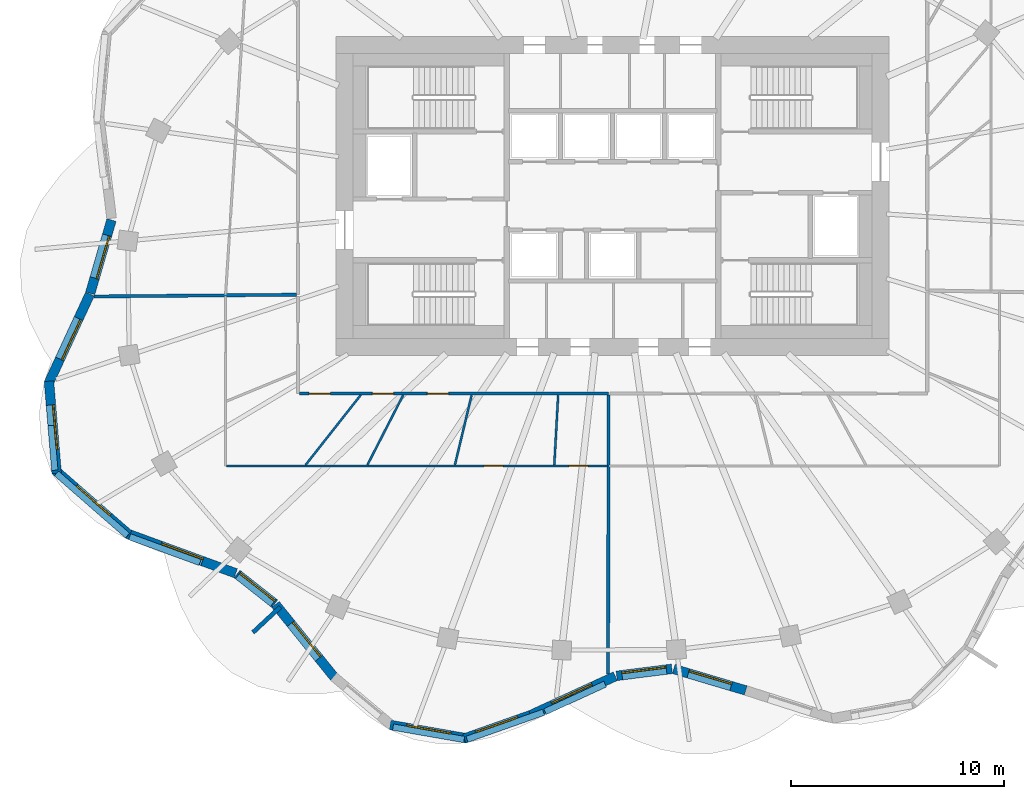
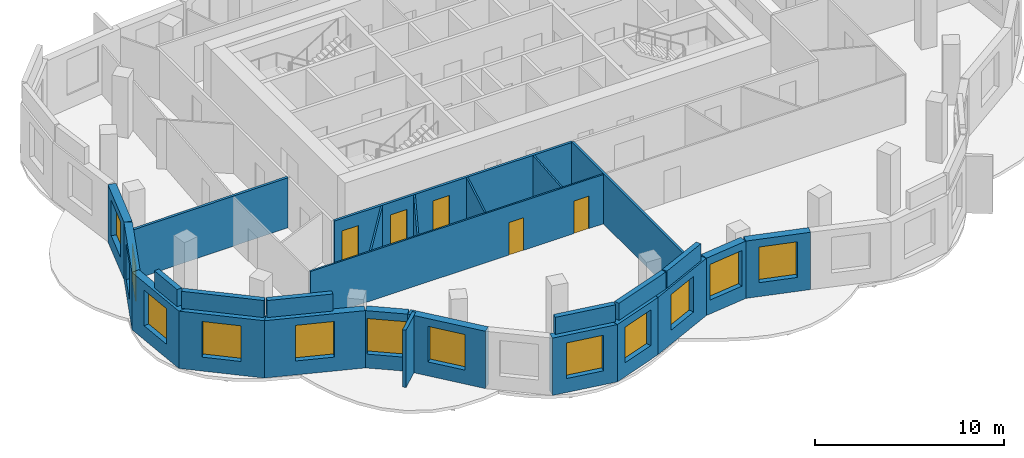
# One storey, part 3 of 10: 27 walls, 12 windows, 5 doors, 17 openings.
"""IFC4 building model written with IfcOpenShell, lengths in metres."""

import ifcopenshell
import ifcopenshell.guid

model = None  # the IFC model being written
_history = None  # IfcOwnerHistory: only IFC2X3 demands one
_inside = {}  # id of a spatial element -> (the spatial element, [elements in it])
_under = {}  # id of a project, library or spatial element -> (it, [spatial elements below it])
_declared = {}  # id of a project -> (the project, [libraries it declares])
_typed = {}  # id of a type object -> (the type object, [elements of that type])
_made_of = {}  # id of a material, layer set ... -> (it, [elements and type objects made of it])


def new_model(schema):
    """Start an empty IFC model of exactly this schema.

    Asked for "IFC4X3", IfcOpenShell would pick the latest addendum, in which some entities
    have other attributes; the version numbers below select the first issue.
    IFC2X3 requires an IfcOwnerHistory on every rooted entity: one is made here for all.
    """
    global model, _history
    if schema == "IFC4X3":
        model = ifcopenshell.file(schema_version=(4, 3, 0, 0))
    else:
        model = ifcopenshell.file(schema=schema)
    _inside.clear()
    _under.clear()
    _declared.clear()
    _typed.clear()
    _made_of.clear()
    _history = None
    if model.schema == "IFC2X3":
        org = make("IfcOrganization", Name="unknown")
        user = make(
            "IfcPersonAndOrganization",
            ThePerson=make("IfcPerson", FamilyName="unknown"),
            TheOrganization=org,
        )
        app = make(
            "IfcApplication",
            ApplicationDeveloper=org,
            Version="unknown",
            ApplicationFullName="unknown",
            ApplicationIdentifier="unknown",
        )
        _history = make(
            "IfcOwnerHistory",
            OwningUser=user,
            OwningApplication=app,
            ChangeAction="ADDED",
            CreationDate=0,
        )
    return model


def make(cls, **values):
    """One entity of the class cls with the attributes given. An attribute that is None is left unset."""
    return model.create_entity(
        cls, **{name: value for name, value in values.items() if value is not None}
    )


def rooted(cls, **values):
    """An entity with a GlobalId (a new one), such as an element, a storey or a relation."""
    return make(cls, GlobalId=ifcopenshell.guid.new(), OwnerHistory=_history, **values)


def si_unit(unit_type, name, prefix=None):
    """IfcSIUnit, for example si_unit("LENGTHUNIT", "METRE", prefix="MILLI")."""
    return make("IfcSIUnit", UnitType=unit_type, Prefix=prefix, Name=name)


def assignment(units):
    """IfcUnitAssignment: the units of a project."""
    return None if units is None else make("IfcUnitAssignment", Units=units)


def point(xyz):
    """IfcCartesianPoint."""
    return None if xyz is None else make("IfcCartesianPoint", Coordinates=xyz)


def direction(xyz):
    """IfcDirection."""
    return None if xyz is None else make("IfcDirection", DirectionRatios=xyz)


def frame(location, z_axis=None, x_axis=None):
    """IfcAxis2Placement3D, a coordinate frame: its origin and axes. An axis left out is left unset."""
    return make(
        "IfcAxis2Placement3D",
        Location=point(location),
        Axis=direction(z_axis),
        RefDirection=direction(x_axis),
    )


def frame_2d(location, x_axis=None):
    """IfcAxis2Placement2D, a coordinate frame in the plane: its origin and x axis."""
    return make(
        "IfcAxis2Placement2D", Location=point(location), RefDirection=direction(x_axis)
    )


def origin():
    """The frame at (0, 0, 0) with its axes left unset."""
    return frame((0.0, 0.0, 0.0))


def place(relative_to, where):
    """IfcLocalPlacement: puts the frame where relative to a parent placement (None: the world)."""
    return make(
        "IfcLocalPlacement", PlacementRelTo=relative_to, RelativePlacement=where
    )


def context(
    kind, dimensions, precision=None, world=None, true_north=None, identifier=None
):
    """IfcGeometricRepresentationContext, for example the 3D "Model" context."""
    return make(
        "IfcGeometricRepresentationContext",
        ContextIdentifier=identifier,
        ContextType=kind,
        CoordinateSpaceDimension=dimensions,
        Precision=precision,
        WorldCoordinateSystem=world,
        TrueNorth=true_north,
    )


def subcontext(parent, identifier, kind, view, scale=None):
    """IfcGeometricRepresentationSubContext, for example "Body" below "Model"."""
    return make(
        "IfcGeometricRepresentationSubContext",
        ContextIdentifier=identifier,
        ContextType=kind,
        ParentContext=parent,
        TargetScale=scale,
        TargetView=view,
    )


def project(units=None, contexts=None):
    """IfcProject with its units and contexts."""
    return rooted(
        "IfcProject",
        Name="project",
        RepresentationContexts=contexts,
        UnitsInContext=assignment(units),
    )


def spatial(cls, under=None, at=None, **own):
    """A site, building, storey or space (cls), placed at a placement, below another one or the project."""
    s = rooted(cls, ObjectPlacement=at, **own)
    if under is not None:
        _under.setdefault(under.id(), (under, []))[1].append(s)
    return s


def profile(cls, at=None, kind="AREA", **sizes):
    """A parametric profile (cls). Its sizes go by their IFC names, for example OverallWidth=200.0."""
    return make(cls, ProfileType=kind, Position=at, **sizes)


def rectangle(**sizes):
    """IfcRectangleProfileDef."""
    return profile("IfcRectangleProfileDef", **sizes)


def extrude(swept, where, along, depth):
    """IfcExtrudedAreaSolid: the profile swept, set in the frame where, extruded along a direction by depth."""
    return make(
        "IfcExtrudedAreaSolid",
        SweptArea=swept,
        Position=where,
        ExtrudedDirection=direction(along),
        Depth=depth,
    )


def shape(context_of_items, identifier, shape_type, items):
    """IfcShapeRepresentation: the items that make up one representation, for example the "Body"."""
    return make(
        "IfcShapeRepresentation",
        ContextOfItems=context_of_items,
        RepresentationIdentifier=identifier,
        RepresentationType=shape_type,
        Items=items,
    )


def material(Name=None, Category=None):
    """IfcMaterial."""
    return make("IfcMaterial", Name=Name, Category=Category)


def layer(
    of_material, thickness, ventilated=None, Name=None, Category=None, Priority=None
):
    """IfcMaterialLayer: one layer of a wall or slab, of a material (None: an air gap)."""
    return make(
        "IfcMaterialLayer",
        Material=of_material,
        LayerThickness=thickness,
        IsVentilated=ventilated,
        Name=Name,
        Category=Category,
        Priority=Priority,
    )


def layer_set(layers, Name=None):
    """IfcMaterialLayerSet."""
    return make("IfcMaterialLayerSet", MaterialLayers=layers, LayerSetName=Name)


def made_of(thing, what):
    """Note that an element or type object is made of a material, layer set ...; save() writes the relation."""
    if what is not None:
        _made_of.setdefault(what.id(), (what, []))[1].append(thing)
    return thing


def type_object(cls, material=None, **own):
    """A type object (cls), such as IfcWallType, which elements share."""
    return made_of(rooted(cls, **own), material)


def element(
    cls,
    number,
    at=None,
    inside=None,
    cuts=None,
    type_object=None,
    material=None,
    context=None,
    identifier="Body",
    shape_type=None,
    held_by="IfcProductDefinitionShape",
    body=None,
    shapes=None,
    **own,
):
    """One element of the class cls, such as IfcWall. Its Tag is "e" and its number.

    at: its placement. inside: the storey or other place that contains it. cuts: it is an
    opening in that element (IfcRelVoidsElement). A single representation is given by context,
    identifier, shape_type and body (its items); several are given by shapes. held_by: the class
    of the entity that holds the representations. save() writes the other relations.
    """
    e = rooted(cls, Tag="e%d" % number, ObjectPlacement=at, **own)
    if body is not None:
        shapes = [shape(context, identifier, shape_type, body)]
    if shapes is not None:
        e.Representation = make(held_by, Representations=shapes)
    if inside is not None:
        _inside.setdefault(inside.id(), (inside, []))[1].append(e)
    if cuts is not None:
        rooted(
            "IfcRelVoidsElement", RelatingBuildingElement=cuts, RelatedOpeningElement=e
        )
    if type_object is not None:
        _typed.setdefault(type_object.id(), (type_object, []))[1].append(e)
    return made_of(e, material)


def fill(opening, filler):
    """IfcRelFillsElement: the door or window that sits in an opening."""
    return rooted(
        "IfcRelFillsElement",
        RelatingOpeningElement=opening,
        RelatedBuildingElement=filler,
    )


def aggregate(whole, parts):
    """IfcRelAggregates: a whole, such as a stair, and the parts it consists of."""
    return rooted("IfcRelAggregates", RelatingObject=whole, RelatedObjects=parts)


def save(model, path):
    """Write the relations noted so far, then the file.

    IfcRelAggregates (storeys below a building ...), IfcRelContainedInSpatialStructure (elements
    in a storey), IfcRelDefinesByType, IfcRelAssociatesMaterial and IfcRelDeclares: one each for
    every whole, place, type object, material and project.
    """
    for whole, parts in _under.values():
        aggregate(whole, parts)
    for where, things in _inside.values():
        rooted(
            "IfcRelContainedInSpatialStructure",
            RelatedElements=things,
            RelatingStructure=where,
        )
    for kind, things in _typed.values():
        rooted("IfcRelDefinesByType", RelatedObjects=things, RelatingType=kind)
    for what, things in _made_of.values():
        rooted("IfcRelAssociatesMaterial", RelatedObjects=things, RelatingMaterial=what)
    for by, libraries in _declared.values():
        rooted("IfcRelDeclares", RelatingContext=by, RelatedDefinitions=libraries)
    model.write(path)


model = new_model("IFC4")

# Units and contexts
model_context = context("Model", 3, precision=1e-05, world=origin(), true_north=direction((0.0, 1.0)))
body_context = subcontext(model_context, "Body", "Model", "MODEL_VIEW")
ifc_project = project(units=[si_unit("LENGTHUNIT", "METRE"), si_unit("AREAUNIT", "SQUARE_METRE"), si_unit("VOLUMEUNIT", "CUBIC_METRE"), si_unit("PLANEANGLEUNIT", "RADIAN"), si_unit("MASSUNIT", "GRAM", prefix="KILO")], contexts=[model_context])

# Site, building, storey
site_placement = place(None, origin())
site = spatial("IfcSite", under=ifc_project, at=site_placement, CompositionType="ELEMENT")
building_placement = place(site_placement, origin())
building = spatial("IfcBuilding", under=site, at=building_placement, Name="Rubra Terraces Tower", CompositionType="ELEMENT")
storey_placement = place(building_placement, frame((0.0, 0.0, 296.10009765625)))
storey = spatial("IfcBuildingStorey", under=building, at=storey_placement, Name="L73", CompositionType="ELEMENT", Elevation=296.10009765625)

# Wall, opening, window
ifc_material_1 = material(Name="Brick masonry red-brown", Category="masonry")
ifc_layer_1 = layer(ifc_material_1, 0.449951171875)
ifc_layer_set_1 = layer_set([ifc_layer_1], Name="Brick masonry red-brown")
wall_type_1 = type_object("IfcWallType", Name="Brick facade wall 450", PredefinedType="SOLIDWALL", material=ifc_layer_set_1)
wall_1_placement = place(storey_placement, frame((-23.565185546875, 3.363525390625, 0.0), z_axis=(0.0, 0.0, 1.0), x_axis=(-0.279148198653, -0.960248032119, 0.0)))
wall_1 = element("IfcWall", 1, at=wall_1_placement, inside=storey, type_object=wall_type_1, Name="Facade wall L73 bay 20", PredefinedType="SOLIDWALL", context=body_context, shape_type="SweptSolid", body=[
    extrude(rectangle(XDim=3.58837890625, YDim=0.449951171875, at=frame_2d((1.794189453125, 0.0))), origin(), (0.0, 0.0, 1.0), 3.699951171875),
])
opening_1_placement = place(wall_1_placement, frame((0.744140625, 0.0, 0.89990234375)))
opening_1 = element("IfcOpeningElement", 2, at=opening_1_placement, cuts=wall_1, Name="Opening W1B", PredefinedType="OPENING", context=body_context, shape_type="SweptSolid", body=[
    extrude(rectangle(XDim=2.10009765625, YDim=2.300048828125, at=frame_2d((1.050048828125, 1.14990234375))), frame((0.0, 0.23486328125, 0.0), z_axis=(0.0, -1.0, 0.0), x_axis=(1.0, 0.0, 0.0)), (0.0, 0.0, 1.0), 0.469970703125),
])
ifc_material_2 = material(Name="Clear glass in aluminium frame", Category="aluminium")
window_type = type_object("IfcWindowType", Name="Fixed deep-set window tall storey 2100 x 2300", PartitioningType="SINGLE_PANEL", PredefinedType="WINDOW", material=ifc_material_2)
window_1_placement = place(opening_1_placement, origin())
window_1 = element("IfcWindow", 3, at=window_1_placement, inside=storey, type_object=window_type, Name="Window L73 bay 20", OverallHeight=2.300048828125, OverallWidth=2.10009765625, PartitioningType="SINGLE_PANEL", PredefinedType="WINDOW", context=body_context, shape_type="SweptSolid", body=[
    extrude(rectangle(XDim=2.10009765625, YDim=2.300048828125, at=frame_2d((1.050048828125, 1.14990234375))), frame((0.0, 0.135009765625, 0.0), z_axis=(0.0, -1.0, 0.0), x_axis=(1.0, 0.0, 0.0)), (0.0, 0.0, 1.0), 0.06005859375),
])
fill(opening_1, window_1)

wall_2_placement = place(storey_placement, frame((-24.57861328125, -0.115478515625, 0.0), z_axis=(0.0, 0.0, 1.0), x_axis=(-0.419535648317, -0.907738861012, 0.0)))
wall_2 = element("IfcWall", 4, at=wall_2_placement, inside=storey, type_object=wall_type_1, Name="Facade wall L73 bay 21", PredefinedType="SOLIDWALL", context=body_context, shape_type="SweptSolid", body=[
    extrude(rectangle(XDim=4.63623046875, YDim=0.449951171875, at=frame_2d((2.318115234375, 0.0))), origin(), (0.0, 0.0, 1.0), 3.699951171875),
])
opening_2_placement = place(wall_2_placement, frame((1.26806640625, 0.0, 0.89990234375)))
opening_2 = element("IfcOpeningElement", 5, at=opening_2_placement, cuts=wall_2, Name="Opening W1B", PredefinedType="OPENING", context=body_context, shape_type="SweptSolid", body=[
    extrude(rectangle(XDim=2.10009765625, YDim=2.300048828125, at=frame_2d((1.050048828125, 1.14990234375))), frame((0.0, 0.23486328125, 0.0), z_axis=(0.0, -1.0, 0.0), x_axis=(1.0, 0.0, 0.0)), (0.0, 0.0, 1.0), 0.469970703125),
])
window_2_placement = place(opening_2_placement, origin())
window_2 = element("IfcWindow", 6, at=window_2_placement, inside=storey, type_object=window_type, Name="Window L73 bay 21", OverallHeight=2.300048828125, OverallWidth=2.10009765625, PartitioningType="SINGLE_PANEL", PredefinedType="WINDOW", context=body_context, shape_type="SweptSolid", body=[
    extrude(rectangle(XDim=2.10009765625, YDim=2.300048828125, at=frame_2d((1.050048828125, 1.14990234375))), frame((0.0, 0.135009765625, 0.0), z_axis=(0.0, -1.0, 0.0), x_axis=(1.0, 0.0, 0.0)), (0.0, 0.0, 1.0), 0.06005859375),
])
fill(opening_2, window_2)

wall_3_placement = place(storey_placement, frame((-26.505859375, -4.21533203125, 0.0), z_axis=(0.0, 0.0, 1.0), x_axis=(0.083268523648, -0.996527146128, 0.0)))
wall_3 = element("IfcWall", 7, at=wall_3_placement, inside=storey, type_object=wall_type_1, Name="Facade wall L73 bay 22", PredefinedType="SOLIDWALL", context=body_context, shape_type="SweptSolid", body=[
    extrude(rectangle(XDim=4.34814453125, YDim=0.449951171875, at=frame_2d((2.174072265625, 0.0))), origin(), (0.0, 0.0, 1.0), 3.699951171875),
])
opening_3_placement = place(wall_3_placement, frame((1.1240234375, 0.0, 0.89990234375)))
opening_3 = element("IfcOpeningElement", 8, at=opening_3_placement, cuts=wall_3, Name="Opening W1B", PredefinedType="OPENING", context=body_context, shape_type="SweptSolid", body=[
    extrude(rectangle(XDim=2.10009765625, YDim=2.300048828125, at=frame_2d((1.050048828125, 1.14990234375))), frame((0.0, 0.23486328125, 0.0), z_axis=(0.0, -1.0, 0.0), x_axis=(1.0, 0.0, 0.0)), (0.0, 0.0, 1.0), 0.469970703125),
])
window_3_placement = place(opening_3_placement, origin())
window_3 = element("IfcWindow", 9, at=window_3_placement, inside=storey, type_object=window_type, Name="Window L73 bay 22", OverallHeight=2.300048828125, OverallWidth=2.10009765625, PartitioningType="SINGLE_PANEL", PredefinedType="WINDOW", context=body_context, shape_type="SweptSolid", body=[
    extrude(rectangle(XDim=2.10009765625, YDim=2.300048828125, at=frame_2d((1.050048828125, 1.14990234375))), frame((0.0, 0.135009765625, 0.0), z_axis=(0.0, -1.0, 0.0), x_axis=(1.0, 0.0, 0.0)), (0.0, 0.0, 1.0), 0.06005859375),
])
fill(opening_3, window_3)

wall_4_placement = place(storey_placement, frame((-26.219970703125, -8.3974609375, 0.0), z_axis=(0.0, 0.0, 1.0), x_axis=(0.753386948361, -0.657577452502, 0.0)))
wall_4 = element("IfcWall", 10, at=wall_4_placement, inside=storey, type_object=wall_type_1, Name="Facade wall L73 bay 23", PredefinedType="SOLIDWALL", context=body_context, shape_type="SweptSolid", body=[
    extrude(rectangle(XDim=4.607177734375, YDim=0.449951171875, at=frame_2d((2.3037109375, 0.0))), origin(), (0.0, 0.0, 1.0), 3.699951171875),
])
opening_4_placement = place(wall_4_placement, frame((1.253662109375, 0.0, 0.89990234375)))
opening_4 = element("IfcOpeningElement", 11, at=opening_4_placement, cuts=wall_4, Name="Opening W1B", PredefinedType="OPENING", context=body_context, shape_type="SweptSolid", body=[
    extrude(rectangle(XDim=2.10009765625, YDim=2.300048828125, at=frame_2d((1.050048828125, 1.14990234375))), frame((0.0, 0.23486328125, 0.0), z_axis=(0.0, -1.0, 0.0), x_axis=(1.0, 0.0, 0.0)), (0.0, 0.0, 1.0), 0.469970703125),
])
window_4_placement = place(opening_4_placement, origin())
window_4 = element("IfcWindow", 12, at=window_4_placement, inside=storey, type_object=window_type, Name="Window L73 bay 23", OverallHeight=2.300048828125, OverallWidth=2.10009765625, PartitioningType="SINGLE_PANEL", PredefinedType="WINDOW", context=body_context, shape_type="SweptSolid", body=[
    extrude(rectangle(XDim=2.10009765625, YDim=2.300048828125, at=frame_2d((1.050048828125, 1.14990234375))), frame((0.0, 0.135009765625, 0.0), z_axis=(0.0, -1.0, 0.0), x_axis=(1.0, 0.0, 0.0)), (0.0, 0.0, 1.0), 0.06005859375),
])
fill(opening_4, window_4)

wall_5_placement = place(storey_placement, frame((-22.81982421875, -11.38525390625, 0.0), z_axis=(0.0, 0.0, 1.0), x_axis=(0.939252372986, -0.343227300546, 0.0)))
wall_5 = element("IfcWall", 13, at=wall_5_placement, inside=storey, type_object=wall_type_1, Name="Facade wall L73 bay 24", PredefinedType="SOLIDWALL", context=body_context, shape_type="SweptSolid", body=[
    extrude(rectangle(XDim=5.426513671875, YDim=0.449951171875, at=frame_2d((2.71337890625, 0.0))), origin(), (0.0, 0.0, 1.0), 3.699951171875),
])
opening_5_placement = place(wall_5_placement, frame((1.663330078125, 0.0, 0.89990234375)))
opening_5 = element("IfcOpeningElement", 14, at=opening_5_placement, cuts=wall_5, Name="Opening W1B", PredefinedType="OPENING", context=body_context, shape_type="SweptSolid", body=[
    extrude(rectangle(XDim=2.10009765625, YDim=2.300048828125, at=frame_2d((1.050048828125, 1.14990234375))), frame((0.0, 0.23486328125, 0.0), z_axis=(0.0, -1.0, 0.0), x_axis=(1.0, 0.0, 0.0)), (0.0, 0.0, 1.0), 0.469970703125),
])
window_5_placement = place(opening_5_placement, origin())
window_5 = element("IfcWindow", 15, at=window_5_placement, inside=storey, type_object=window_type, Name="Window L73 bay 24", OverallHeight=2.300048828125, OverallWidth=2.10009765625, PartitioningType="SINGLE_PANEL", PredefinedType="WINDOW", context=body_context, shape_type="SweptSolid", body=[
    extrude(rectangle(XDim=2.10009765625, YDim=2.300048828125, at=frame_2d((1.050048828125, 1.14990234375))), frame((0.0, 0.135009765625, 0.0), z_axis=(0.0, -1.0, 0.0), x_axis=(1.0, 0.0, 0.0)), (0.0, 0.0, 1.0), 0.06005859375),
])
fill(opening_5, window_5)

wall_6_placement = place(storey_placement, frame((-17.660888671875, -13.2822265625, 0.0), z_axis=(0.0, 0.0, 1.0), x_axis=(0.785466196165, -0.618904560237, 0.0)))
wall_6 = element("IfcWall", 16, at=wall_6_placement, inside=storey, type_object=wall_type_1, Name="Facade wall L73 bay 25", PredefinedType="SOLIDWALL", context=body_context, shape_type="SweptSolid", body=[
    extrude(rectangle(XDim=2.2587890625, YDim=0.449951171875, at=frame_2d((1.12939453125, 0.0))), origin(), (0.0, 0.0, 1.0), 3.699951171875),
])
opening_6_placement = place(wall_6_placement, frame((0.079345703125, 0.0, 0.89990234375)))
opening_6 = element("IfcOpeningElement", 17, at=opening_6_placement, cuts=wall_6, Name="Opening W1B", PredefinedType="OPENING", context=body_context, shape_type="SweptSolid", body=[
    extrude(rectangle(XDim=2.10009765625, YDim=2.300048828125, at=frame_2d((1.050048828125, 1.14990234375))), frame((0.0, 0.23486328125, 0.0), z_axis=(0.0, -1.0, 0.0), x_axis=(1.0, 0.0, 0.0)), (0.0, 0.0, 1.0), 0.469970703125),
])
window_6_placement = place(opening_6_placement, origin())
window_6 = element("IfcWindow", 18, at=window_6_placement, inside=storey, type_object=window_type, Name="Window L73 bay 25", OverallHeight=2.300048828125, OverallWidth=2.10009765625, PartitioningType="SINGLE_PANEL", PredefinedType="WINDOW", context=body_context, shape_type="SweptSolid", body=[
    extrude(rectangle(XDim=2.10009765625, YDim=2.300048828125, at=frame_2d((1.050048828125, 1.14990234375))), frame((0.0, 0.135009765625, 0.0), z_axis=(0.0, -1.0, 0.0), x_axis=(1.0, 0.0, 0.0)), (0.0, 0.0, 1.0), 0.06005859375),
])
fill(opening_6, window_6)

wall_7_placement = place(storey_placement, frame((-15.850830078125, -14.71533203125, 0.0), z_axis=(0.0, 0.0, 1.0), x_axis=(0.628253185779, -0.778008955321, 0.0)))
wall_7 = element("IfcWall", 19, at=wall_7_placement, inside=storey, type_object=wall_type_1, Name="Facade wall L73 bay 26", PredefinedType="SOLIDWALL", context=body_context, shape_type="SweptSolid", body=[
    extrude(rectangle(XDim=4.401611328125, YDim=0.449951171875, at=frame_2d((2.20068359375, 0.0))), origin(), (0.0, 0.0, 1.0), 3.699951171875),
])
opening_7_placement = place(wall_7_placement, frame((1.15087890625, 0.0, 0.89990234375)))
opening_7 = element("IfcOpeningElement", 20, at=opening_7_placement, cuts=wall_7, Name="Opening W1B", PredefinedType="OPENING", context=body_context, shape_type="SweptSolid", body=[
    extrude(rectangle(XDim=2.10009765625, YDim=2.300048828125, at=frame_2d((1.050048828125, 1.14990234375))), frame((0.0, 0.23486328125, 0.0), z_axis=(0.0, -1.0, 0.0), x_axis=(1.0, 0.0, 0.0)), (0.0, 0.0, 1.0), 0.469970703125),
])
window_7_placement = place(opening_7_placement, origin())
window_7 = element("IfcWindow", 21, at=window_7_placement, inside=storey, type_object=window_type, Name="Window L73 bay 26", OverallHeight=2.300048828125, OverallWidth=2.10009765625, PartitioningType="SINGLE_PANEL", PredefinedType="WINDOW", context=body_context, shape_type="SweptSolid", body=[
    extrude(rectangle(XDim=2.10009765625, YDim=2.300048828125, at=frame_2d((1.050048828125, 1.14990234375))), frame((0.0, 0.135009765625, 0.0), z_axis=(0.0, -1.0, 0.0), x_axis=(1.0, 0.0, 0.0)), (0.0, 0.0, 1.0), 0.06005859375),
])
fill(opening_7, window_7)

wall_8_placement = place(storey_placement, frame((-10.459228515625, -20.38134765625, 0.0), z_axis=(0.0, 0.0, 1.0), x_axis=(0.985017416972, -0.172454887614, 0.0)))
wall_8 = element("IfcWall", 22, at=wall_8_placement, inside=storey, type_object=wall_type_1, Name="Facade wall L73 bay 28", PredefinedType="SOLIDWALL", context=body_context, shape_type="SweptSolid", body=[
    extrude(rectangle(XDim=3.65380859375, YDim=0.449951171875, at=frame_2d((1.826904296875, 0.0))), origin(), (0.0, 0.0, 1.0), 3.699951171875),
])
opening_8_placement = place(wall_8_placement, frame((0.77685546875, 0.0, 0.89990234375)))
opening_8 = element("IfcOpeningElement", 23, at=opening_8_placement, cuts=wall_8, Name="Opening W1B", PredefinedType="OPENING", context=body_context, shape_type="SweptSolid", body=[
    extrude(rectangle(XDim=2.10009765625, YDim=2.300048828125, at=frame_2d((1.050048828125, 1.14990234375))), frame((0.0, 0.23486328125, 0.0), z_axis=(0.0, -1.0, 0.0), x_axis=(1.0, 0.0, 0.0)), (0.0, 0.0, 1.0), 0.469970703125),
])
window_8_placement = place(opening_8_placement, origin())
window_8 = element("IfcWindow", 24, at=window_8_placement, inside=storey, type_object=window_type, Name="Window L73 bay 28", OverallHeight=2.300048828125, OverallWidth=2.10009765625, PartitioningType="SINGLE_PANEL", PredefinedType="WINDOW", context=body_context, shape_type="SweptSolid", body=[
    extrude(rectangle(XDim=2.10009765625, YDim=2.300048828125, at=frame_2d((1.050048828125, 1.14990234375))), frame((0.0, 0.135009765625, 0.0), z_axis=(0.0, -1.0, 0.0), x_axis=(1.0, 0.0, 0.0)), (0.0, 0.0, 1.0), 0.06005859375),
])
fill(opening_8, window_8)

wall_9_placement = place(storey_placement, frame((-6.973876953125, -21.020751953125, 0.0), z_axis=(0.0, 0.0, 1.0), x_axis=(0.94304763908, 0.3326577076, 0.0)))
wall_9 = element("IfcWall", 25, at=wall_9_placement, inside=storey, type_object=wall_type_1, Name="Facade wall L73 bay 29", PredefinedType="SOLIDWALL", context=body_context, shape_type="SweptSolid", body=[
    extrude(rectangle(XDim=3.302490234375, YDim=0.449951171875, at=frame_2d((1.6513671875, 0.0))), origin(), (0.0, 0.0, 1.0), 3.699951171875),
])
opening_9_placement = place(wall_9_placement, frame((0.601318359375, 0.0, 0.89990234375)))
opening_9 = element("IfcOpeningElement", 26, at=opening_9_placement, cuts=wall_9, Name="Opening W1B", PredefinedType="OPENING", context=body_context, shape_type="SweptSolid", body=[
    extrude(rectangle(XDim=2.10009765625, YDim=2.300048828125, at=frame_2d((1.050048828125, 1.14990234375))), frame((0.0, 0.23486328125, 0.0), z_axis=(0.0, -1.0, 0.0), x_axis=(1.0, 0.0, 0.0)), (0.0, 0.0, 1.0), 0.469970703125),
])
window_9_placement = place(opening_9_placement, origin())
window_9 = element("IfcWindow", 27, at=window_9_placement, inside=storey, type_object=window_type, Name="Window L73 bay 29", OverallHeight=2.300048828125, OverallWidth=2.10009765625, PartitioningType="SINGLE_PANEL", PredefinedType="WINDOW", context=body_context, shape_type="SweptSolid", body=[
    extrude(rectangle(XDim=2.10009765625, YDim=2.300048828125, at=frame_2d((1.050048828125, 1.14990234375))), frame((0.0, 0.135009765625, 0.0), z_axis=(0.0, -1.0, 0.0), x_axis=(1.0, 0.0, 0.0)), (0.0, 0.0, 1.0), 0.06005859375),
])
fill(opening_9, window_9)

wall_10_placement = place(storey_placement, frame((-3.87841796875, -19.929931640625, 0.0), z_axis=(0.0, 0.0, 1.0), x_axis=(0.908679684485, 0.417493989183, 0.0)))
wall_10 = element("IfcWall", 28, at=wall_10_placement, inside=storey, type_object=wall_type_1, Name="Facade wall L73 bay 30", PredefinedType="SOLIDWALL", context=body_context, shape_type="SweptSolid", body=[
    extrude(rectangle(XDim=4.40625, YDim=0.449951171875, at=frame_2d((2.203125, 0.0))), origin(), (0.0, 0.0, 1.0), 3.699951171875),
])
opening_10_placement = place(wall_10_placement, frame((1.1533203125, 0.0, 0.89990234375)))
opening_10 = element("IfcOpeningElement", 29, at=opening_10_placement, cuts=wall_10, Name="Opening W1B", PredefinedType="OPENING", context=body_context, shape_type="SweptSolid", body=[
    extrude(rectangle(XDim=2.10009765625, YDim=2.300048828125, at=frame_2d((1.050048828125, 1.14990234375))), frame((0.0, 0.23486328125, 0.0), z_axis=(0.0, -1.0, 0.0), x_axis=(1.0, 0.0, 0.0)), (0.0, 0.0, 1.0), 0.469970703125),
])
window_10_placement = place(opening_10_placement, origin())
window_10 = element("IfcWindow", 30, at=window_10_placement, inside=storey, type_object=window_type, Name="Window L73 bay 30", OverallHeight=2.300048828125, OverallWidth=2.10009765625, PartitioningType="SINGLE_PANEL", PredefinedType="WINDOW", context=body_context, shape_type="SweptSolid", body=[
    extrude(rectangle(XDim=2.10009765625, YDim=2.300048828125, at=frame_2d((1.050048828125, 1.14990234375))), frame((0.0, 0.135009765625, 0.0), z_axis=(0.0, -1.0, 0.0), x_axis=(1.0, 0.0, 0.0)), (0.0, 0.0, 1.0), 0.06005859375),
])
fill(opening_10, window_10)

wall_11_placement = place(storey_placement, frame((0.191162109375, -18.07177734375, 0.0), z_axis=(0.0, 0.0, 1.0), x_axis=(0.992071255417, 0.125676665198, 0.0)))
wall_11 = element("IfcWall", 31, at=wall_11_placement, inside=storey, type_object=wall_type_1, Name="Facade wall L73 bay 31", PredefinedType="SOLIDWALL", context=body_context, shape_type="SweptSolid", body=[
    extrude(rectangle(XDim=2.61669921875, YDim=0.449951171875, at=frame_2d((1.308349609375, 0.0))), origin(), (0.0, 0.0, 1.0), 3.699951171875),
])
opening_11_placement = place(wall_11_placement, frame((0.25830078125, 0.0, 0.89990234375)))
opening_11 = element("IfcOpeningElement", 32, at=opening_11_placement, cuts=wall_11, Name="Opening W1B", PredefinedType="OPENING", context=body_context, shape_type="SweptSolid", body=[
    extrude(rectangle(XDim=2.10009765625, YDim=2.300048828125, at=frame_2d((1.050048828125, 1.14990234375))), frame((0.0, 0.23486328125, 0.0), z_axis=(0.0, -1.0, 0.0), x_axis=(1.0, 0.0, 0.0)), (0.0, 0.0, 1.0), 0.469970703125),
])
window_11_placement = place(opening_11_placement, origin())
window_11 = element("IfcWindow", 33, at=window_11_placement, inside=storey, type_object=window_type, Name="Window L73 bay 31", OverallHeight=2.300048828125, OverallWidth=2.10009765625, PartitioningType="SINGLE_PANEL", PredefinedType="WINDOW", context=body_context, shape_type="SweptSolid", body=[
    extrude(rectangle(XDim=2.10009765625, YDim=2.300048828125, at=frame_2d((1.050048828125, 1.14990234375))), frame((0.0, 0.135009765625, 0.0), z_axis=(0.0, -1.0, 0.0), x_axis=(1.0, 0.0, 0.0)), (0.0, 0.0, 1.0), 0.06005859375),
])
fill(opening_11, window_11)

wall_12_placement = place(storey_placement, frame((2.876220703125, -17.74951171875, 0.0), z_axis=(0.0, 0.0, 1.0), x_axis=(0.958397358603, -0.28543738897, 0.0)))
wall_12 = element("IfcWall", 34, at=wall_12_placement, inside=storey, type_object=wall_type_1, Name="Facade wall L73 bay 32", PredefinedType="SOLIDWALL", context=body_context, shape_type="SweptSolid", body=[
    extrude(rectangle(XDim=3.530029296875, YDim=0.449951171875, at=frame_2d((1.76513671875, 0.0))), origin(), (0.0, 0.0, 1.0), 3.699951171875),
])
opening_12_placement = place(wall_12_placement, frame((0.715087890625, 0.0, 0.89990234375)))
opening_12 = element("IfcOpeningElement", 35, at=opening_12_placement, cuts=wall_12, Name="Opening W1B", PredefinedType="OPENING", context=body_context, shape_type="SweptSolid", body=[
    extrude(rectangle(XDim=2.10009765625, YDim=2.300048828125, at=frame_2d((1.050048828125, 1.14990234375))), frame((0.0, 0.23486328125, 0.0), z_axis=(0.0, -1.0, 0.0), x_axis=(1.0, 0.0, 0.0)), (0.0, 0.0, 1.0), 0.469970703125),
])
window_12_placement = place(opening_12_placement, origin())
window_12 = element("IfcWindow", 36, at=window_12_placement, inside=storey, type_object=window_type, Name="Window L73 bay 32", OverallHeight=2.300048828125, OverallWidth=2.10009765625, PartitioningType="SINGLE_PANEL", PredefinedType="WINDOW", context=body_context, shape_type="SweptSolid", body=[
    extrude(rectangle(XDim=2.10009765625, YDim=2.300048828125, at=frame_2d((1.050048828125, 1.14990234375))), frame((0.0, 0.135009765625, 0.0), z_axis=(0.0, -1.0, 0.0), x_axis=(1.0, 0.0, 0.0)), (0.0, 0.0, 1.0), 0.06005859375),
])
fill(opening_12, window_12)

# Walls
ifc_layer_2 = layer(ifc_material_1, 0.300048828125)
ifc_layer_set_2 = layer_set([ifc_layer_2], Name="Brick masonry red-brown")
wall_type_2 = type_object("IfcWallType", Name="Brick parapet 300", PredefinedType="PARAPET", material=ifc_layer_set_2)
wall_13_placement = place(storey_placement, frame((-26.4072265625, -6.296142578125, 3.89990234375), z_axis=(0.0, 0.0, 1.0), x_axis=(0.083236561351, -0.99652981634, 0.0)))
element("IfcWall", 37, at=wall_13_placement, inside=storey, type_object=wall_type_2, Name="Parapet L73 bay 22", PredefinedType="PARAPET", context=body_context, shape_type="SweptSolid", body=[
    extrude(rectangle(XDim=2.11474609375, YDim=0.300048828125, at=frame_2d((1.057373046875, 0.0))), origin(), (0.0, 0.0, 1.0), 1.10009765625),
])
wall_14_placement = place(storey_placement, frame((-26.1552734375, -8.5537109375, 3.89990234375), z_axis=(0.0, 0.0, 1.0), x_axis=(0.753400870431, -0.657561501636, 0.0)))
element("IfcWall", 38, at=wall_14_placement, inside=storey, type_object=wall_type_2, Name="Parapet L73 bay 23", PredefinedType="PARAPET", context=body_context, shape_type="SweptSolid", body=[
    extrude(rectangle(XDim=4.4375, YDim=0.300048828125, at=frame_2d((2.21875, 0.0))), origin(), (0.0, 0.0, 1.0), 1.10009765625),
])
wall_15_placement = place(storey_placement, frame((-22.714111328125, -11.529541015625, 3.89990234375), z_axis=(0.0, 0.0, 1.0), x_axis=(0.93926063174, -0.343204699361, 0.0)))
element("IfcWall", 39, at=wall_15_placement, inside=storey, type_object=wall_type_2, Name="Parapet L73 bay 24", PredefinedType="PARAPET", context=body_context, shape_type="SweptSolid", body=[
    extrude(rectangle(XDim=3.526123046875, YDim=0.300048828125, at=frame_2d((1.76318359375, 0.0))), origin(), (0.0, 0.0, 1.0), 1.10009765625),
])
wall_16_placement = place(storey_placement, frame((-10.322265625, -20.4814453125, 3.89990234375), z_axis=(0.0, 0.0, 1.0), x_axis=(0.985027412627, -0.172397785292, 0.0)))
element("IfcWall", 40, at=wall_16_placement, inside=storey, type_object=wall_type_2, Name="Parapet L73 bay 28", PredefinedType="PARAPET", context=body_context, shape_type="SweptSolid", body=[
    extrude(rectangle(XDim=3.39306640625, YDim=0.300048828125, at=frame_2d((1.696533203125, 0.0))), origin(), (0.0, 0.0, 1.0), 1.10009765625),
])
wall_17_placement = place(storey_placement, frame((-6.846435546875, -21.055419921875, 3.89990234375), z_axis=(0.0, 0.0, 1.0), x_axis=(0.943055230823, 0.33263618507, 0.0)))
element("IfcWall", 41, at=wall_17_placement, inside=storey, type_object=wall_type_2, Name="Parapet L73 bay 29", PredefinedType="PARAPET", context=body_context, shape_type="SweptSolid", body=[
    extrude(rectangle(XDim=3.81884765625, YDim=0.300048828125, at=frame_2d((1.909423828125, 0.0))), origin(), (0.0, 0.0, 1.0), 1.10009765625),
])
wall_18_placement = place(storey_placement, frame((-3.177001953125, -19.75732421875, 3.89990234375), z_axis=(0.0, 0.0, 1.0), x_axis=(0.90873239321, 0.417379249042, 0.0)))
element("IfcWall", 42, at=wall_18_placement, inside=storey, type_object=wall_type_2, Name="Parapet L73 bay 30", PredefinedType="PARAPET", context=body_context, shape_type="SweptSolid", body=[
    extrude(rectangle(XDim=3.10888671875, YDim=0.300048828125, at=frame_2d((1.554443359375, 0.0))), origin(), (0.0, 0.0, 1.0), 1.10009765625),
])
ifc_layer_3 = layer(ifc_material_1, 0.199951171875)
ifc_layer_set_3 = layer_set([ifc_layer_3], Name="Brick masonry red-brown")
wall_type_3 = type_object("IfcWallType", Name="Brick wind fin 200", PredefinedType="SOLIDWALL", material=ifc_layer_set_3)
wall_19_placement = place(storey_placement, frame((-15.632080078125, -14.837890625, 0.0), z_axis=(0.0, 0.0, 1.0), x_axis=(-0.73177399504, -0.681547371929, 0.0)))
element("IfcWall", 43, at=wall_19_placement, inside=storey, type_object=wall_type_3, Name="Wind fin L73 13", PredefinedType="SOLIDWALL", context=body_context, shape_type="SweptSolid", body=[
    extrude(rectangle(XDim=1.75, YDim=0.199951171875, at=frame_2d((0.875, 0.0))), origin(), (0.0, 0.0, 1.0), 3.699951171875),
])

# Wall, openings, doors
ifc_material_3 = material(Name="Plasterboard on steel stud, mineral wool infill", Category="steel")
ifc_layer_4 = layer(ifc_material_3, 0.14990234375)
ifc_layer_set_4 = layer_set([ifc_layer_4], Name="Plasterboard on steel stud, mineral wool infill")
wall_type_4 = type_object("IfcWallType", Name="CORRIDOR PARTITION 150", PredefinedType="PARTITIONING", material=ifc_layer_set_4)
wall_20_placement = place(storey_placement, frame((-14.72509765625, -4.800048828125, 0.0), z_axis=(0.0, 0.0, 1.0), x_axis=(1.0, 0.0, 0.0)))
wall_20 = element("IfcWall", 44, at=wall_20_placement, inside=storey, type_object=wall_type_4, Name="PARTITION", PredefinedType="PARTITIONING", context=body_context, shape_type="SweptSolid", body=[
    extrude(rectangle(XDim=14.539794921875, YDim=0.14990234375, at=frame_2d((7.27001953125, 0.0))), origin(), (0.0, 0.0, 1.0), 3.197998046875),
])
opening_13_placement = place(wall_20_placement, frame((0.449951171875, 0.0, 0.0)))
opening_13 = element("IfcOpeningElement", 45, at=opening_13_placement, cuts=wall_20, Name="Opening 73-113", PredefinedType="OPENING", context=body_context, shape_type="SweptSolid", body=[
    extrude(rectangle(XDim=1.0, YDim=2.39990234375, at=frame_2d((0.5, 1.199951171875))), frame((0.0, 0.0849609375, 0.0), z_axis=(0.0, -1.0, 0.0), x_axis=(1.0, 0.0, 0.0)), (0.0, 0.0, 1.0), 0.169921875),
])
opening_14_placement = place(wall_20_placement, frame((3.423095703125, 0.0, 0.0)))
opening_14 = element("IfcOpeningElement", 46, at=opening_14_placement, cuts=wall_20, Name="Opening 73-114", PredefinedType="OPENING", context=body_context, shape_type="SweptSolid", body=[
    extrude(rectangle(XDim=1.0, YDim=2.39990234375, at=frame_2d((0.5, 1.199951171875))), frame((0.0, 0.0849609375, 0.0), z_axis=(0.0, -1.0, 0.0), x_axis=(1.0, 0.0, 0.0)), (0.0, 0.0, 1.0), 0.169921875),
])
opening_15_placement = place(wall_20_placement, frame((6.013916015625, 0.0, 0.0)))
opening_15 = element("IfcOpeningElement", 47, at=opening_15_placement, cuts=wall_20, Name="Opening 73-115", PredefinedType="OPENING", context=body_context, shape_type="SweptSolid", body=[
    extrude(rectangle(XDim=1.0, YDim=2.39990234375, at=frame_2d((0.5, 1.199951171875))), frame((0.0, 0.0849609375, 0.0), z_axis=(0.0, -1.0, 0.0), x_axis=(1.0, 0.0, 0.0)), (0.0, 0.0, 1.0), 0.169921875),
])
ifc_material_4 = material(Name="Glazed aluminium meeting door leaf", Category="aluminium")
door_type_1 = type_object("IfcDoorType", Name="MEETING ROOM GLAZED DOOR 1000 X 2400", OperationType="SINGLE_SWING_LEFT", PredefinedType="DOOR", material=ifc_material_4)
door_1_placement = place(opening_13_placement, origin())
door_1 = element("IfcDoor", 48, at=door_1_placement, inside=storey, type_object=door_type_1, Name="DOOR 73-113", OperationType="SINGLE_SWING_RIGHT", OverallHeight=2.39990234375, OverallWidth=1.0, PredefinedType="DOOR", context=body_context, shape_type="SweptSolid", body=[
    extrude(rectangle(XDim=1.0, YDim=2.39990234375, at=frame_2d((0.5, 1.199951171875))), frame((0.0, 0.02490234375, 0.0), z_axis=(0.0, -1.0, 0.0), x_axis=(1.0, 0.0, 0.0)), (0.0, 0.0, 1.0), 0.050048828125),
])
fill(opening_13, door_1)
door_2_placement = place(opening_14_placement, origin())
door_2 = element("IfcDoor", 49, at=door_2_placement, inside=storey, type_object=door_type_1, Name="DOOR 73-114", OperationType="SINGLE_SWING_RIGHT", OverallHeight=2.39990234375, OverallWidth=1.0, PredefinedType="DOOR", context=body_context, shape_type="SweptSolid", body=[
    extrude(rectangle(XDim=1.0, YDim=2.39990234375, at=frame_2d((0.5, 1.199951171875))), frame((0.0, 0.02490234375, 0.0), z_axis=(0.0, -1.0, 0.0), x_axis=(1.0, 0.0, 0.0)), (0.0, 0.0, 1.0), 0.050048828125),
])
fill(opening_14, door_2)
door_3_placement = place(opening_15_placement, origin())
door_3 = element("IfcDoor", 50, at=door_3_placement, inside=storey, type_object=door_type_1, Name="DOOR 73-115", OperationType="SINGLE_SWING_RIGHT", OverallHeight=2.39990234375, OverallWidth=1.0, PredefinedType="DOOR", context=body_context, shape_type="SweptSolid", body=[
    extrude(rectangle(XDim=1.0, YDim=2.39990234375, at=frame_2d((0.5, 1.199951171875))), frame((0.0, 0.02490234375, 0.0), z_axis=(0.0, -1.0, 0.0), x_axis=(1.0, 0.0, 0.0)), (0.0, 0.0, 1.0), 0.050048828125),
])
fill(opening_15, door_3)

ifc_material_5 = material(Name="Plasterboard on steel stud", Category="steel")
ifc_layer_5 = layer(ifc_material_5, 0.10009765625)
ifc_layer_set_5 = layer_set([ifc_layer_5], Name="Plasterboard on steel stud")
wall_type_5 = type_object("IfcWallType", Name="ROOM PARTITION 100", PredefinedType="PARTITIONING", material=ifc_layer_set_5)
wall_21_placement = place(storey_placement, frame((-0.212646484375, -8.199951171875, 0.0), z_axis=(0.0, 0.0, 1.0), x_axis=(-1.0, 0.0, 0.0)))
wall_21 = element("IfcWall", 51, at=wall_21_placement, inside=storey, type_object=wall_type_5, Name="PARTITION", PredefinedType="PARTITIONING", context=body_context, shape_type="SweptSolid", body=[
    extrude(rectangle(XDim=17.937255859375, YDim=0.10009765625, at=frame_2d((8.96875, 0.0))), origin(), (0.0, 0.0, 1.0), 3.183837890625),
])
opening_16_placement = place(wall_21_placement, frame((4.930908203125, 0.0, 0.0)))
opening_16 = element("IfcOpeningElement", 52, at=opening_16_placement, cuts=wall_21, Name="Opening 73-116", PredefinedType="OPENING", context=body_context, shape_type="SweptSolid", body=[
    extrude(rectangle(XDim=0.89990234375, YDim=2.10009765625, at=frame_2d((0.449951171875, 1.050048828125))), frame((0.0, 0.06005859375, 0.0), z_axis=(0.0, -1.0, 0.0), x_axis=(1.0, 0.0, 0.0)), (0.0, 0.0, 1.0), 0.1201171875),
])
opening_17_placement = place(wall_21_placement, frame((0.93798828125, 0.0, 0.0)))
opening_17 = element("IfcOpeningElement", 53, at=opening_17_placement, cuts=wall_21, Name="Opening 73-117", PredefinedType="OPENING", context=body_context, shape_type="SweptSolid", body=[
    extrude(rectangle(XDim=0.89990234375, YDim=2.10009765625, at=frame_2d((0.449951171875, 1.050048828125))), frame((0.0, 0.06005859375, 0.0), z_axis=(0.0, -1.0, 0.0), x_axis=(1.0, 0.0, 0.0)), (0.0, 0.0, 1.0), 0.1201171875),
])
ifc_material_6 = material(Name="Painted timber door leaf", Category="wood")
door_type_2 = type_object("IfcDoorType", Name="ROOM DOOR 900 X 2100", OperationType="SINGLE_SWING_LEFT", PredefinedType="DOOR", material=ifc_material_6)
door_4_placement = place(opening_16_placement, origin())
door_4 = element("IfcDoor", 54, at=door_4_placement, inside=storey, type_object=door_type_2, Name="DOOR 73-116", OperationType="SINGLE_SWING_LEFT", OverallHeight=2.10009765625, OverallWidth=0.89990234375, PredefinedType="DOOR", context=body_context, shape_type="SweptSolid", body=[
    extrude(rectangle(XDim=0.89990234375, YDim=2.10009765625, at=frame_2d((0.449951171875, 1.050048828125))), frame((0.0, 0.02490234375, 0.0), z_axis=(0.0, -1.0, 0.0), x_axis=(1.0, 0.0, 0.0)), (0.0, 0.0, 1.0), 0.050048828125),
])
fill(opening_16, door_4)
door_5_placement = place(opening_17_placement, origin())
door_5 = element("IfcDoor", 55, at=door_5_placement, inside=storey, type_object=door_type_2, Name="DOOR 73-117", OperationType="SINGLE_SWING_LEFT", OverallHeight=2.10009765625, OverallWidth=0.89990234375, PredefinedType="DOOR", context=body_context, shape_type="SweptSolid", body=[
    extrude(rectangle(XDim=0.89990234375, YDim=2.10009765625, at=frame_2d((0.449951171875, 1.050048828125))), frame((0.0, 0.02490234375, 0.0), z_axis=(0.0, -1.0, 0.0), x_axis=(1.0, 0.0, 0.0)), (0.0, 0.0, 1.0), 0.050048828125),
])
fill(opening_17, door_5)

# Walls
wall_22_placement = place(storey_placement, frame((-11.839111328125, -4.85888671875, 0.0), z_axis=(0.0, 0.0, 1.0), x_axis=(-0.619149025844, -0.78527350891, 0.0)))
element("IfcWall", 56, at=wall_22_placement, inside=storey, type_object=wall_type_5, Name="PARTITION", PredefinedType="PARTITIONING", context=body_context, shape_type="SweptSolid", body=[
    extrude(rectangle(XDim=4.20458984375, YDim=0.10009765625, at=frame_2d((2.102294921875, 0.0))), origin(), (0.0, 0.0, 1.0), 3.183837890625),
])
wall_23_placement = place(storey_placement, frame((-9.845458984375, -4.86669921875, 0.0), z_axis=(0.0, 0.0, 1.0), x_axis=(-0.456148994618, -0.889903418754, 0.0)))
element("IfcWall", 57, at=wall_23_placement, inside=storey, type_object=wall_type_5, Name="PARTITION", PredefinedType="PARTITIONING", context=body_context, shape_type="SweptSolid", body=[
    extrude(rectangle(XDim=3.69580078125, YDim=0.10009765625, at=frame_2d((1.847900390625, 0.0))), origin(), (0.0, 0.0, 1.0), 3.183837890625),
])
wall_24_placement = place(storey_placement, frame((-6.628662109375, -4.872802734375, 0.0), z_axis=(0.0, 0.0, 1.0), x_axis=(-0.233307223636, -0.972403074553, 0.0)))
element("IfcWall", 58, at=wall_24_placement, inside=storey, type_object=wall_type_5, Name="PARTITION", PredefinedType="PARTITIONING", context=body_context, shape_type="SweptSolid", body=[
    extrude(rectangle(XDim=3.37158203125, YDim=0.10009765625, at=frame_2d((1.685791015625, 0.0))), origin(), (0.0, 0.0, 1.0), 3.183837890625),
])
wall_25_placement = place(storey_placement, frame((-2.559814453125, -4.875, 0.0), z_axis=(0.0, 0.0, 1.0), x_axis=(-0.05530100695, -0.99846972845, 0.0)))
element("IfcWall", 59, at=wall_25_placement, inside=storey, type_object=wall_type_5, Name="PARTITION", PredefinedType="PARTITIONING", context=body_context, shape_type="SweptSolid", body=[
    extrude(rectangle(XDim=3.2802734375, YDim=0.10009765625, at=frame_2d((1.64013671875, 0.0))), origin(), (0.0, 0.0, 1.0), 3.183837890625),
])
ifc_layer_6 = layer(ifc_material_5, 0.14990234375)
ifc_layer_set_6 = layer_set([ifc_layer_6], Name="Plasterboard on steel stud")
wall_type_6 = type_object("IfcWallType", Name="ROOM PARTITION 150", PredefinedType="PARTITIONING", material=ifc_layer_set_6)
wall_26_placement = place(storey_placement, frame((-24.3837890625, -0.230712890625, 0.0), z_axis=(0.0, 0.0, 1.0), x_axis=(0.999962123102, 0.008703583232, 0.0)))
element("IfcWall", 60, at=wall_26_placement, inside=storey, type_object=wall_type_6, Name="PARTITION", PredefinedType="PARTITIONING", context=body_context, shape_type="SweptSolid", body=[
    extrude(rectangle(XDim=9.509033203125, YDim=0.14990234375, at=frame_2d((4.75439453125, 0.0))), origin(), (0.0, 0.0, 1.0), 3.23388671875),
])
wall_27_placement = place(storey_placement, frame((-0.21337890625, -17.994140625, 0.0), z_axis=(0.0, 0.0, 1.0), x_axis=(0.002121478031, 0.999997749663, 0.0)))
element("IfcWall", 61, at=wall_27_placement, inside=storey, type_object=wall_type_6, Name="PARTITION", PredefinedType="PARTITIONING", context=body_context, shape_type="SweptSolid", body=[
    extrude(rectangle(XDim=13.119140625, YDim=0.14990234375, at=frame_2d((6.5595703125, 0.0))), origin(), (0.0, 0.0, 1.0), 3.23388671875),
])

save(model, "model.ifc")
